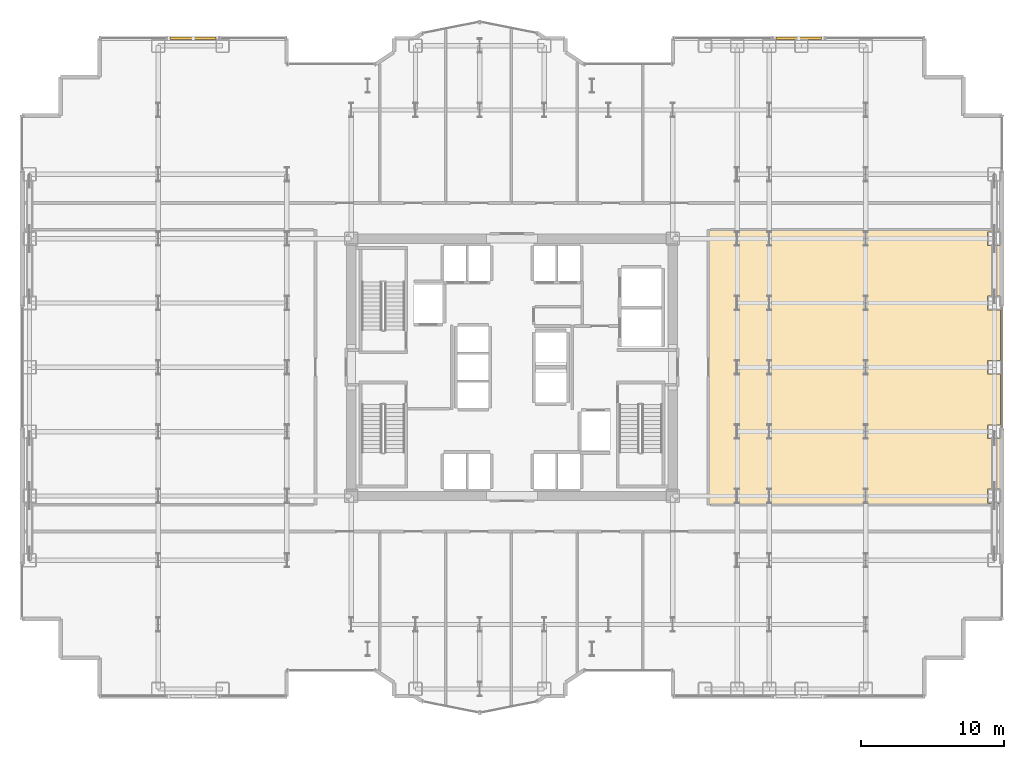
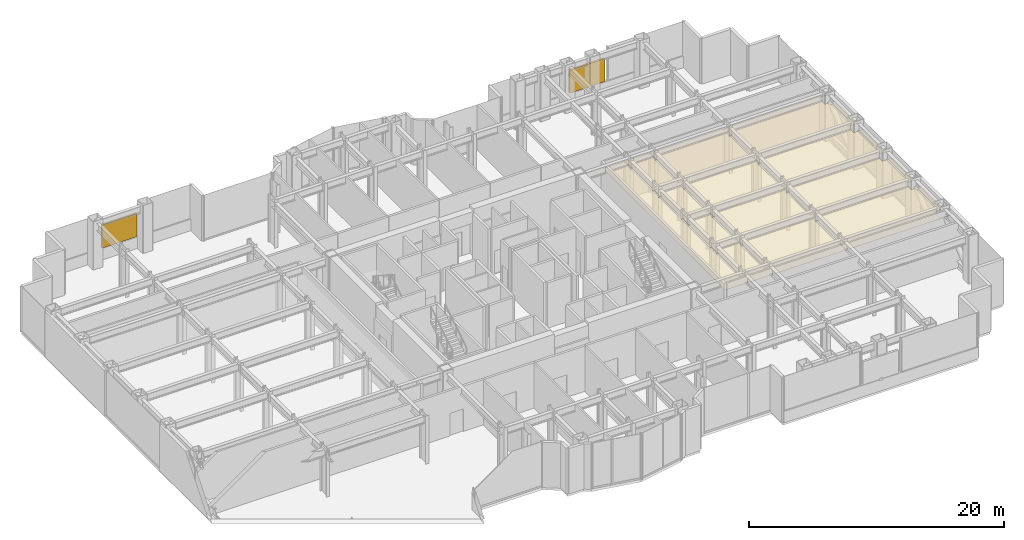
# One storey, part 30 of 30: 2 shading devices, 1 covering.
"""IFC4 building model written with IfcOpenShell, lengths in metres."""

from ifc_helpers import new_model, si_unit, direction, frame, origin, origin_2d, place, context, subcontext, project, spatial, polyline, rectangle, outline, extrude, source, transform, mapped, material, layer, layer_set, type_object, element, save


model = new_model("IFC4")

# Units and contexts
model_context = context("Model", 3, precision=1e-05, world=origin(), true_north=direction((0.0, 1.0)))
body_context = subcontext(model_context, "Body", "Model", "MODEL_VIEW")
ifc_project = project(units=[si_unit("LENGTHUNIT", "METRE"), si_unit("AREAUNIT", "SQUARE_METRE"), si_unit("VOLUMEUNIT", "CUBIC_METRE"), si_unit("PLANEANGLEUNIT", "RADIAN"), si_unit("MASSUNIT", "GRAM", prefix="KILO")], contexts=[model_context])

# Site, building, storey
site_placement = place(None, origin())
site = spatial("IfcSite", under=ifc_project, at=site_placement, CompositionType="ELEMENT")
building_placement = place(site_placement, origin())
building = spatial("IfcBuilding", under=site, at=building_placement, Name="Nefas-Gora Pilgrimage Tower", CompositionType="ELEMENT")
storey_placement = place(building_placement, frame((0.0, 0.0, 86.199951171875)))
storey = spatial("IfcBuildingStorey", under=building, at=storey_placement, Name="L20", CompositionType="ELEMENT", Elevation=86.199951171875)

# Covering
ifc_material_1 = material(Name="Perforated gypsum acoustic ceiling")
ifc_layer = layer(ifc_material_1, 0.02490234375)
ifc_layer_set = layer_set([ifc_layer], Name="Perforated gypsum acoustic ceiling")
covering_type = type_object("IfcCoveringType", Name="COV-CEIL-ACOUST", PredefinedType="CEILING", material=ifc_layer_set)
covering_placement = place(storey_placement, frame((0.0, 0.0, 3.60498046875)))
element("IfcCovering", 1, at=covering_placement, inside=storey, type_object=covering_type, Name="L20 Acoustic Suspended Ceiling (Refuge Area East)", PredefinedType="CEILING", context=body_context, shape_type="SweptSolid", body=[
    extrude(outline(polyline([(34.18994140625, -9.47705078125), (33.27294921875, -9.47705078125), (33.27294921875, -8.52294921875), (34.18994140625, -8.52294921875), (34.18994140625, -4.97705078125), (33.27294921875, -4.97705078125), (33.27294921875, -4.02294921875), (34.18994140625, -4.02294921875), (34.18994140625, -0.47705078125), (33.27294921875, -0.47705078125), (33.27294921875, 0.47705078125), (34.18994140625, 0.47705078125), (34.18994140625, 4.02294921875), (33.27294921875, 4.02294921875), (33.27294921875, 4.97705078125), (34.18994140625, 4.97705078125), (34.18994140625, 8.52294921875), (33.27294921875, 8.52294921875), (33.27294921875, 9.47705078125), (34.18994140625, 9.47705078125), (34.18994140625, 9.60009765625), (13.780029296875, 9.60009765625), (13.780029296875, -9.60009765625), (34.18994140625, -9.60009765625), (34.18994140625, -9.47705078125)]), holes=[polyline([(24.903076171875, -8.493896484375), (24.903076171875, -8.5380859375), (24.762451171875, -8.5380859375), (24.762451171875, -9.4619140625), (24.903076171875, -9.4619140625), (24.903076171875, -9.506103515625), (24.596923828125, -9.506103515625), (24.596923828125, -9.4619140625), (24.737548828125, -9.4619140625), (24.737548828125, -8.5380859375), (24.596923828125, -8.5380859375), (24.596923828125, -8.493896484375), (24.903076171875, -8.493896484375)]), polyline([(24.903076171875, 0.506103515625), (24.903076171875, 0.4619140625), (24.762451171875, 0.4619140625), (24.762451171875, -0.4619140625), (24.903076171875, -0.4619140625), (24.903076171875, -0.506103515625), (24.596923828125, -0.506103515625), (24.596923828125, -0.4619140625), (24.737548828125, -0.4619140625), (24.737548828125, 0.4619140625), (24.596923828125, 0.4619140625), (24.596923828125, 0.506103515625), (24.903076171875, 0.506103515625)]), polyline([(24.903076171875, 5.006103515625), (24.903076171875, 4.9619140625), (24.762451171875, 4.9619140625), (24.762451171875, 4.0380859375), (24.903076171875, 4.0380859375), (24.903076171875, 3.993896484375), (24.596923828125, 3.993896484375), (24.596923828125, 4.0380859375), (24.737548828125, 4.0380859375), (24.737548828125, 4.9619140625), (24.596923828125, 4.9619140625), (24.596923828125, 5.006103515625), (24.903076171875, 5.006103515625)]), polyline([(24.903076171875, -4.0380859375), (24.762451171875, -4.0380859375), (24.762451171875, -4.9619140625), (24.903076171875, -4.9619140625), (24.903076171875, -5.006103515625), (24.596923828125, -5.006103515625), (24.596923828125, -4.9619140625), (24.737548828125, -4.9619140625), (24.737548828125, -4.0380859375), (24.596923828125, -4.0380859375), (24.596923828125, -3.993896484375), (24.903076171875, -3.993896484375), (24.903076171875, -4.0380859375)]), polyline([(24.903076171875, 9.4619140625), (24.762451171875, 9.4619140625), (24.762451171875, 8.5380859375), (24.903076171875, 8.5380859375), (24.903076171875, 8.493896484375), (24.596923828125, 8.493896484375), (24.596923828125, 8.5380859375), (24.737548828125, 8.5380859375), (24.737548828125, 9.4619140625), (24.596923828125, 9.4619140625), (24.596923828125, 9.506103515625), (24.903076171875, 9.506103515625), (24.903076171875, 9.4619140625)]), polyline([(18.153076171875, -8.493896484375), (18.153076171875, -8.5380859375), (18.012451171875, -8.5380859375), (18.012451171875, -9.4619140625), (18.153076171875, -9.4619140625), (18.153076171875, -9.506103515625), (17.846923828125, -9.506103515625), (17.846923828125, -9.4619140625), (17.987548828125, -9.4619140625), (17.987548828125, -8.5380859375), (17.846923828125, -8.5380859375), (17.846923828125, -8.493896484375), (18.153076171875, -8.493896484375)]), polyline([(18.153076171875, -4.0380859375), (18.012451171875, -4.0380859375), (18.012451171875, -4.9619140625), (18.153076171875, -4.9619140625), (18.153076171875, -5.006103515625), (17.846923828125, -5.006103515625), (17.846923828125, -4.9619140625), (17.987548828125, -4.9619140625), (17.987548828125, -4.0380859375), (17.846923828125, -4.0380859375), (17.846923828125, -3.993896484375), (18.153076171875, -3.993896484375), (18.153076171875, -4.0380859375)]), polyline([(18.153076171875, 0.4619140625), (18.012451171875, 0.4619140625), (18.012451171875, -0.4619140625), (18.153076171875, -0.4619140625), (18.153076171875, -0.506103515625), (17.846923828125, -0.506103515625), (17.846923828125, -0.4619140625), (17.987548828125, -0.4619140625), (17.987548828125, 0.4619140625), (17.846923828125, 0.4619140625), (17.846923828125, 0.506103515625), (18.153076171875, 0.506103515625), (18.153076171875, 0.4619140625)]), polyline([(18.153076171875, 4.9619140625), (18.012451171875, 4.9619140625), (18.012451171875, 4.0380859375), (18.153076171875, 4.0380859375), (18.153076171875, 3.993896484375), (17.846923828125, 3.993896484375), (17.846923828125, 4.0380859375), (17.987548828125, 4.0380859375), (17.987548828125, 4.9619140625), (17.846923828125, 4.9619140625), (17.846923828125, 5.006103515625), (18.153076171875, 5.006103515625), (18.153076171875, 4.9619140625)]), polyline([(18.153076171875, 9.4619140625), (18.012451171875, 9.4619140625), (18.012451171875, 8.5380859375), (18.153076171875, 8.5380859375), (18.153076171875, 8.493896484375), (17.846923828125, 8.493896484375), (17.846923828125, 8.5380859375), (17.987548828125, 8.5380859375), (17.987548828125, 9.4619140625), (17.846923828125, 9.4619140625), (17.846923828125, 9.506103515625), (18.153076171875, 9.506103515625), (18.153076171875, 9.4619140625)]), polyline([(15.903076171875, -3.993896484375), (15.903076171875, -4.0380859375), (15.762451171875, -4.0380859375), (15.762451171875, -4.9619140625), (15.903076171875, -4.9619140625), (15.903076171875, -5.006103515625), (15.596923828125, -5.006103515625), (15.596923828125, -4.9619140625), (15.737548828125, -4.9619140625), (15.737548828125, -4.0380859375), (15.596923828125, -4.0380859375), (15.596923828125, -3.993896484375), (15.903076171875, -3.993896484375)]), polyline([(15.903076171875, 5.006103515625), (15.903076171875, 4.9619140625), (15.762451171875, 4.9619140625), (15.762451171875, 4.0380859375), (15.903076171875, 4.0380859375), (15.903076171875, 3.993896484375), (15.596923828125, 3.993896484375), (15.596923828125, 4.0380859375), (15.737548828125, 4.0380859375), (15.737548828125, 4.9619140625), (15.596923828125, 4.9619140625), (15.596923828125, 5.006103515625), (15.903076171875, 5.006103515625)]), polyline([(15.903076171875, -8.5380859375), (15.762451171875, -8.5380859375), (15.762451171875, -9.4619140625), (15.903076171875, -9.4619140625), (15.903076171875, -9.506103515625), (15.596923828125, -9.506103515625), (15.596923828125, -9.4619140625), (15.737548828125, -9.4619140625), (15.737548828125, -8.5380859375), (15.596923828125, -8.5380859375), (15.596923828125, -8.493896484375), (15.903076171875, -8.493896484375), (15.903076171875, -8.5380859375)]), polyline([(15.903076171875, 0.4619140625), (15.762451171875, 0.4619140625), (15.762451171875, -0.4619140625), (15.903076171875, -0.4619140625), (15.903076171875, -0.506103515625), (15.596923828125, -0.506103515625), (15.596923828125, -0.4619140625), (15.737548828125, -0.4619140625), (15.737548828125, 0.4619140625), (15.596923828125, 0.4619140625), (15.596923828125, 0.506103515625), (15.903076171875, 0.506103515625), (15.903076171875, 0.4619140625)]), polyline([(15.903076171875, 9.4619140625), (15.762451171875, 9.4619140625), (15.762451171875, 8.5380859375), (15.903076171875, 8.5380859375), (15.903076171875, 8.493896484375), (15.596923828125, 8.493896484375), (15.596923828125, 8.5380859375), (15.737548828125, 8.5380859375), (15.737548828125, 9.4619140625), (15.596923828125, 9.4619140625), (15.596923828125, 9.506103515625), (15.903076171875, 9.506103515625), (15.903076171875, 9.4619140625)])]), origin(), (0.0, 0.0, 1.0), 0.025146484375),
])

# Shading devices
ifc_material_2 = material(Name="Dark-bronze anodised aluminium acoustic storm louvre", Category="aluminium")
shading_device_type_1 = type_object("IfcShadingDeviceType", Name="SHD-LOUVRE-JAL", PredefinedType="JALOUSIE", material=ifc_material_2)
shared_shape_1 = source(origin(), body_context, "Body", "SweptSolid", [
    extrude(rectangle(XDim=3.199951171875, YDim=0.179931640625, at=origin_2d()), origin(), (0.0, 0.0, 1.0), 2.199951171875),
])
shading_device_1_placement = place(storey_placement, frame((20.06005859375, 23.02001953125, 1.10009765625), z_axis=(0.0, 0.0, 1.0), x_axis=(1.0, 0.0, 0.0)))
element("IfcShadingDevice", 2, at=shading_device_1_placement, inside=storey, type_object=shading_device_type_1, Name="L20 High-Altitude Storm Louvre Assembly 15", PredefinedType="JALOUSIE", context=body_context, shape_type="MappedRepresentation", body=[
    mapped(shared_shape_1, transform((0.0, 0.0, 0.0), x_axis=(1.0, 0.0, 0.0), y_axis=(0.0, 1.0, 0.0), z_axis=(0.0, 0.0, 1.0), scale=1.0)),
])
ifc_material_3 = material(Name="Perforated dark-bronze aluminium weather screen", Category="aluminium")
shading_device_type_2 = type_object("IfcShadingDeviceType", Name="SHD-SCREEN-SHUT", PredefinedType="SHUTTER", material=ifc_material_3)
shared_shape_2 = source(origin(), body_context, "Body", "SweptSolid", [
    extrude(rectangle(XDim=3.199951171875, YDim=0.179931640625, at=origin_2d()), origin(), (0.0, 0.0, 1.0), 2.199951171875),
])
shading_device_2_placement = place(storey_placement, frame((-22.31005859375, 23.02001953125, 1.10009765625), z_axis=(0.0, 0.0, 1.0), x_axis=(1.0, 0.0, 0.0)))
element("IfcShadingDevice", 3, at=shading_device_2_placement, inside=storey, type_object=shading_device_type_2, Name="L20 High-Altitude Storm Louvre Assembly 26", PredefinedType="SHUTTER", context=body_context, shape_type="MappedRepresentation", body=[
    mapped(shared_shape_2, transform((0.0, 0.0, 0.0), x_axis=(1.0, 0.0, 0.0), y_axis=(0.0, 1.0, 0.0), z_axis=(0.0, 0.0, 1.0), scale=1.0)),
])

save(model, "model.ifc")
